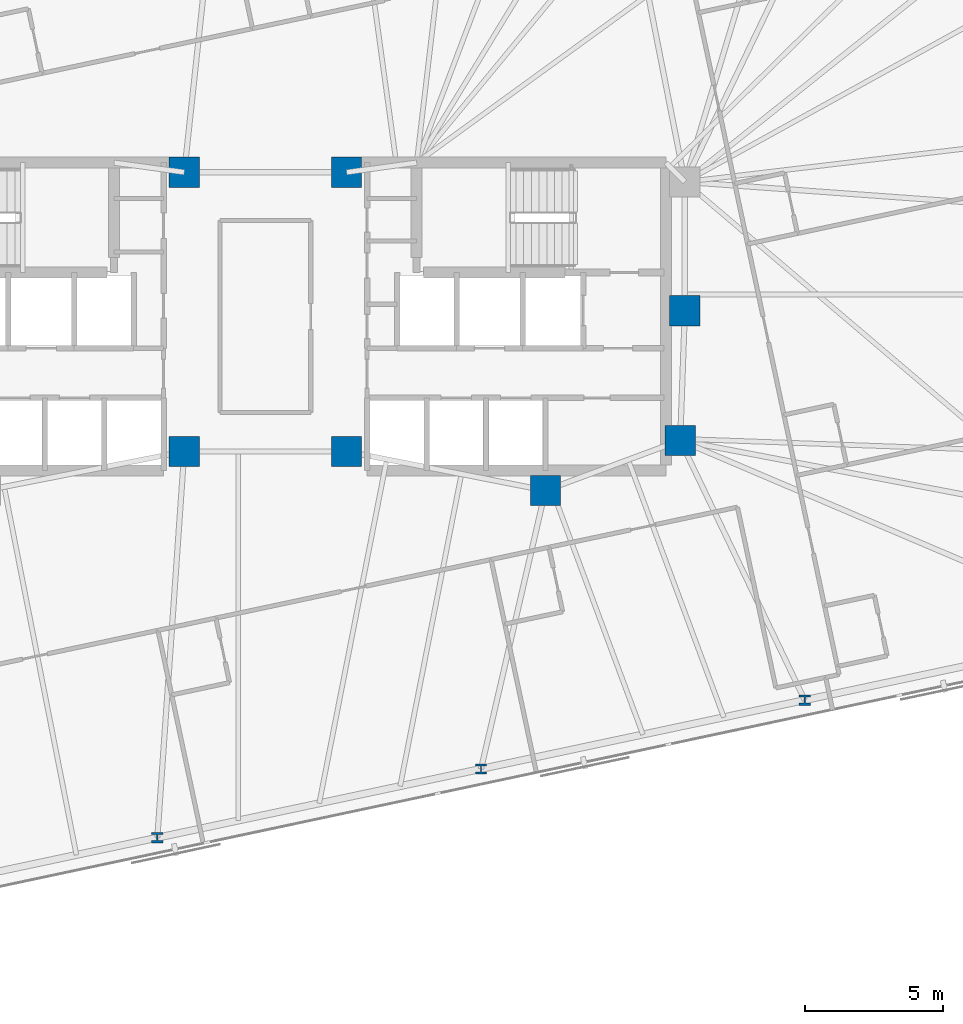
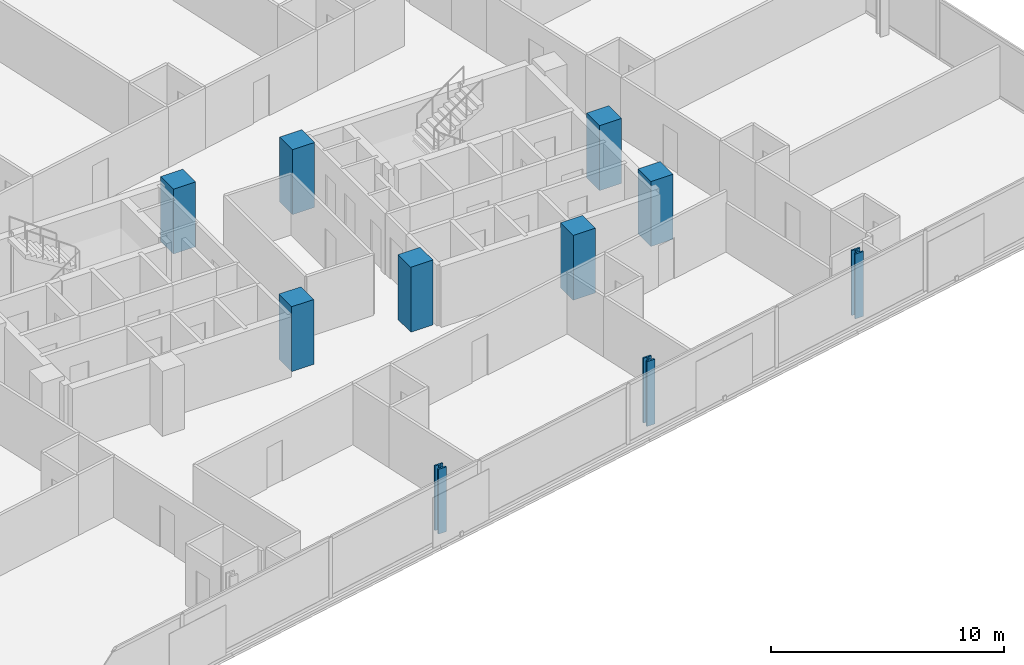
# One storey, part 3 of 20: 10 columns.
"""IFC4 building model written with IfcOpenShell, lengths in metres."""

from ifc_helpers import new_model, si_unit, direction, frame, origin, origin_2d, place, context, subcontext, project, spatial, rectangle, i_section, extrude, material, material_profile, profile_set, type_object, element, save


model = new_model("IFC4")

# Units and contexts
model_context = context("Model", 3, precision=1e-05, world=origin(), true_north=direction((0.0, 1.0)))
body_context = subcontext(model_context, "Body", "Model", "MODEL_VIEW")
ifc_project = project(units=[si_unit("LENGTHUNIT", "METRE"), si_unit("AREAUNIT", "SQUARE_METRE"), si_unit("VOLUMEUNIT", "CUBIC_METRE"), si_unit("PLANEANGLEUNIT", "RADIAN"), si_unit("MASSUNIT", "GRAM", prefix="KILO")], contexts=[model_context])

# Site, building, storey
site_placement = place(None, origin())
site = spatial("IfcSite", under=ifc_project, at=site_placement, CompositionType="ELEMENT")
building_placement = place(site_placement, origin())
building = spatial("IfcBuilding", under=site, at=building_placement, Name="Menara Jurai Vektor", CompositionType="ELEMENT")
storey_placement = place(building_placement, frame((0.0, 0.0, 175.199951171875)))
storey = spatial("IfcBuildingStorey", under=building, at=storey_placement, Name="L45", CompositionType="ELEMENT", Elevation=175.199951171875)

# Columns
ifc_material_1 = material(Name="Concrete C50/60", Category="concrete")
ifc_material_profile_1 = material_profile(ifc_material_1, rectangle(XDim=1.10009765625, YDim=1.10009765625, at=origin_2d()), Name="RC 1100x1100")
ifc_profile_set_1 = profile_set([ifc_material_profile_1], Name="Concrete C50/60")
column_type_1 = type_object("IfcColumnType", Name="STR-COL-RC1100", PredefinedType="COLUMN", material=ifc_profile_set_1)
for number, where, z_axis, x_axis, name in (
    (1, (-2.949951171875, -4.89990234375, 0.0), (0.0, 0.0, 1.0), (1.0, 0.0, 0.0), "Core Spine Column CW-SE L45"),
    (2, (-2.949951171875, 5.25, 0.0), (0.0, 0.0, 1.0), (1.0, 0.0, 0.0), "Core Spine Column CW-NE L45"),
    (3, (15.25, 0.219970703125, 0.0), (0.0, 0.0, 1.0), (1.0, 0.0, 0.0), "Core Spine Column CE-EM L45"),
    (4, (15.080078125, -4.5, 0.0), (0.0, 0.0, 1.0), (1.0, 0.0, 0.0), "Core Spine Column CE-SE L45"),
    (5, (10.179931640625, -6.320068359375, 0.0), (0.0, 0.0, 1.0), (1.0, 0.0, 0.0), "Core Spine Column CE-SM L45"),
    (6, (2.949951171875, -4.89990234375, 0.0), (0.0, 0.0, 1.0), (1.0, 0.0, 0.0), "Core Spine Column CE-SW L45"),
    (7, (2.949951171875, 5.25, 0.0), (0.0, 0.0, 1.0), (1.0, 0.0, 0.0), "Core Spine Column CE-NW L45"),
):
    element("IfcColumn", number, at=place(storey_placement, frame(where, z_axis=z_axis, x_axis=x_axis)), inside=storey, type_object=column_type_1, Name=name, PredefinedType="COLUMN", context=body_context, shape_type="SweptSolid", body=[
        extrude(rectangle(XDim=1.10009765625, YDim=1.10009765625, at=origin_2d()), origin(), (0.0, 0.0, 1.0), 3.400146484375),
    ])
ifc_material_2 = material(Name="Steel S460", Category="steel")
ifc_material_profile_2 = material_profile(ifc_material_2, i_section(OverallWidth=0.408935546875, OverallDepth=0.3740234375, WebThickness=0.048095703125, FlangeThickness=0.076904296875, FilletRadius=0.014892578125, at=origin_2d()), Name="HD 400x634")
ifc_profile_set_2 = profile_set([ifc_material_profile_2], Name="Steel S460")
column_type_2 = type_object("IfcColumnType", Name="STR-EXO-BLK3", PredefinedType="COLUMN", material=ifc_profile_set_2)
for number, where, z_axis, x_axis, name in (
    (8, (-3.928466796875, -18.94287109375, 0.0), (0.0, 0.0, 1.0), (1.0, 0.0, 0.0), "Exoskeleton Column BLK3-S3 L45"),
    (9, (7.83984375, -16.44140625, 0.0), (0.0, 0.0, 1.0), (1.0, 0.0, 0.0), "Exoskeleton Column BLK3-S4 L45"),
    (10, (19.608154296875, -13.940185546875, 0.0), (0.0, 0.0, 1.0), (1.0, 0.0, 0.0), "Exoskeleton Column BLK3-S5 L45"),
):
    element("IfcColumn", number, at=place(storey_placement, frame(where, z_axis=z_axis, x_axis=x_axis)), inside=storey, type_object=column_type_2, Name=name, PredefinedType="COLUMN", context=body_context, shape_type="SweptSolid", body=[
        extrude(i_section(OverallWidth=0.408935546875, OverallDepth=0.3740234375, WebThickness=0.048095703125, FlangeThickness=0.076904296875, FilletRadius=0.014892578125, at=origin_2d()), origin(), (0.0, 0.0, 1.0), 3.400146484375),
    ])

save(model, "model.ifc")
